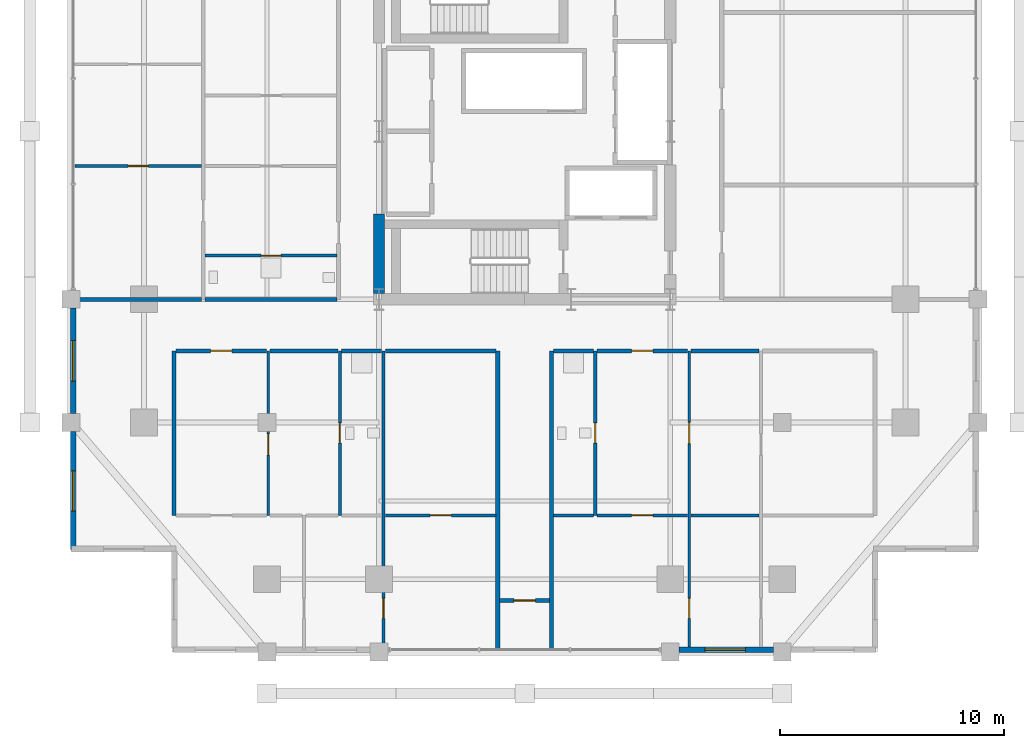
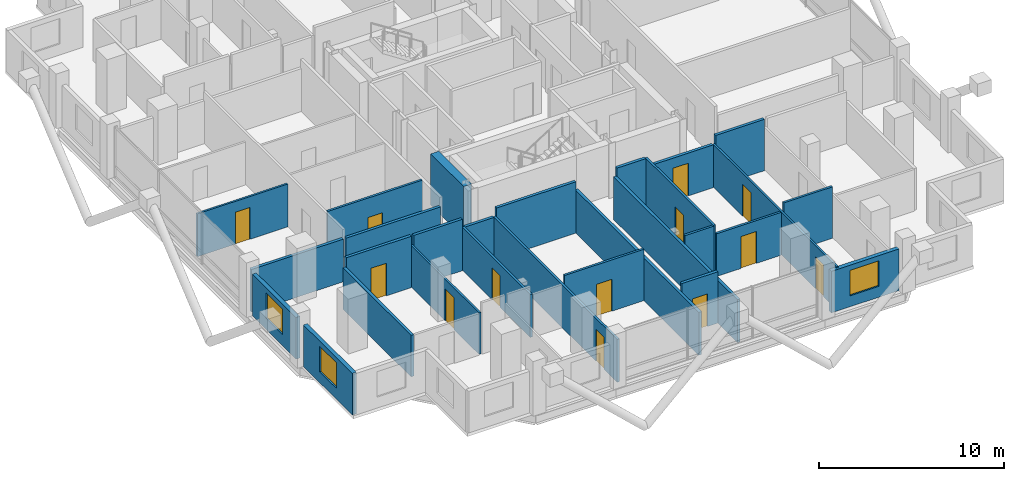
# One storey, part 17 of 23: 28 walls, 13 doors, 3 windows, 16 openings.
"""IFC4 building model written with IfcOpenShell, lengths in metres."""

from ifc_helpers import new_model, si_unit, direction, frame, frame_2d, origin, place, context, subcontext, project, spatial, rectangle, extrude, material, layer, layer_set, type_object, element, fill, save


model = new_model("IFC4")

# Units and contexts
model_context = context("Model", 3, precision=1e-05, world=origin(), true_north=direction((0.0, 1.0)))
body_context = subcontext(model_context, "Body", "Model", "MODEL_VIEW")
ifc_project = project(units=[si_unit("LENGTHUNIT", "METRE"), si_unit("AREAUNIT", "SQUARE_METRE"), si_unit("VOLUMEUNIT", "CUBIC_METRE"), si_unit("PLANEANGLEUNIT", "RADIAN"), si_unit("MASSUNIT", "GRAM", prefix="KILO")], contexts=[model_context])

# Site, building, storey
site_placement = place(None, origin())
site = spatial("IfcSite", under=ifc_project, at=site_placement, CompositionType="ELEMENT")
building_placement = place(site_placement, origin())
building = spatial("IfcBuilding", under=site, at=building_placement, Name="Barlavira Tower and Art Museum", CompositionType="ELEMENT")
storey_placement = place(building_placement, frame((0.0, 0.0, 140.39990234375)))
storey = spatial("IfcBuildingStorey", under=building, at=storey_placement, Name="L35", CompositionType="ELEMENT", Elevation=140.39990234375)

# Wall, opening, door
ifc_material_1 = material(Name="Gypsum acoustic stud partition", Category="gypsum")
ifc_layer_1 = layer(ifc_material_1, 0.1201171875, Name="Gypsum acoustic stud partition")
ifc_layer_set_1 = layer_set([ifc_layer_1], Name="Gypsum acoustic stud partition")
wall_type_1 = type_object("IfcWallType", Name="Apartment Internal Acoustic Partition 120", PredefinedType="PARTITIONING", material=ifc_layer_set_1)
wall_1_placement = place(storey_placement, frame((-11.449951171875, -17.14990234375, 0.0), z_axis=(0.0, 0.0, 1.0), x_axis=(0.0, 1.0, 0.0)))
wall_1 = element("IfcWall", 1, at=wall_1_placement, inside=storey, type_object=wall_type_1, Name="L35 Partition Wall 4", PredefinedType="PARTITIONING", context=body_context, shape_type="SweptSolid", body=[
    extrude(rectangle(XDim=7.349853515625, YDim=0.1201171875, at=frame_2d((3.6748046875, 0.0))), origin(), (0.0, 0.0, 1.0), 2.736083984375),
])
opening_1_placement = place(wall_1_placement, frame((2.686767578125, 0.0, 0.0)))
opening_1 = element("IfcOpeningElement", 2, at=opening_1_placement, cuts=wall_1, Name="Opening D-02", PredefinedType="OPENING", context=body_context, shape_type="SweptSolid", body=[
    extrude(rectangle(XDim=0.949951171875, YDim=2.10009765625, at=frame_2d((0.47509765625, 1.050048828125))), frame((0.0, 0.070068359375, 0.0), z_axis=(0.0, -1.0, 0.0), x_axis=(1.0, 0.0, 0.0)), (0.0, 0.0, 1.0), 0.14013671875),
])
ifc_material_2 = material(Name="Engineered coastal hardwood", Category="wood")
door_type_1 = type_object("IfcDoorType", Name="Living and Salon Glazed-Leaf Door 950x2100", OperationType="NOTDEFINED", PredefinedType="DOOR", material=ifc_material_2)
door_1_placement = place(opening_1_placement, origin())
door_1 = element("IfcDoor", 3, at=door_1_placement, inside=storey, type_object=door_type_1, Name="Apartment SW1 Kitchen Door", OperationType="SINGLE_SWING_LEFT", OverallHeight=2.10009765625, OverallWidth=0.949951171875, PredefinedType="DOOR", context=body_context, shape_type="SweptSolid", body=[
    extrude(rectangle(XDim=0.949951171875, YDim=2.10009765625, at=frame_2d((0.47509765625, 1.050048828125))), frame((0.0, 0.02490234375, 0.0), z_axis=(0.0, -1.0, 0.0), x_axis=(1.0, 0.0, 0.0)), (0.0, 0.0, 1.0), 0.050048828125),
])
fill(opening_1, door_1)

# Wall, openings, doors
wall_2_placement = place(storey_placement, frame((7.35009765625, -23.14990234375, 0.0), z_axis=(0.0, 0.0, 1.0), x_axis=(0.0, 1.0, 0.0)))
wall_2 = element("IfcWall", 4, at=wall_2_placement, inside=storey, type_object=wall_type_1, Name="L35 Partition Wall 22", PredefinedType="PARTITIONING", context=body_context, shape_type="SweptSolid", body=[
    extrude(rectangle(XDim=13.349853515625, YDim=0.1201171875, at=frame_2d((6.6748046875, 0.0))), origin(), (0.0, 0.0, 1.0), 2.816162109375),
])
opening_2_placement = place(wall_2_placement, frame((9.205078125, 0.0, 0.0)))
opening_2 = element("IfcOpeningElement", 5, at=opening_2_placement, cuts=wall_2, Name="Opening D-02", PredefinedType="OPENING", context=body_context, shape_type="SweptSolid", body=[
    extrude(rectangle(XDim=0.949951171875, YDim=2.10009765625, at=frame_2d((0.47509765625, 1.050048828125))), frame((0.0, 0.070068359375, 0.0), z_axis=(0.0, -1.0, 0.0), x_axis=(1.0, 0.0, 0.0)), (0.0, 0.0, 1.0), 0.14013671875),
])
opening_3_placement = place(wall_2_placement, frame((1.39892578125, 0.0, 0.0)))
opening_3 = element("IfcOpeningElement", 6, at=opening_3_placement, cuts=wall_2, Name="Opening D-01", PredefinedType="OPENING", context=body_context, shape_type="SweptSolid", body=[
    extrude(rectangle(XDim=0.89990234375, YDim=2.10009765625, at=frame_2d((0.449951171875, 1.050048828125))), frame((0.0, 0.070068359375, 0.0), z_axis=(0.0, -1.0, 0.0), x_axis=(1.0, 0.0, 0.0)), (0.0, 0.0, 1.0), 0.14013671875),
])
door_type_2 = type_object("IfcDoorType", Name="Internal Bedroom Timber Flush Door 900x2100", OperationType="NOTDEFINED", PredefinedType="DOOR", material=ifc_material_2)
door_2_placement = place(opening_3_placement, origin())
door_2 = element("IfcDoor", 7, at=door_2_placement, inside=storey, type_object=door_type_2, Name="Apartment SE1 Bedroom 1 Door", OperationType="SINGLE_SWING_RIGHT", OverallHeight=2.10009765625, OverallWidth=0.89990234375, PredefinedType="DOOR", context=body_context, shape_type="SweptSolid", body=[
    extrude(rectangle(XDim=0.89990234375, YDim=2.10009765625, at=frame_2d((0.449951171875, 1.050048828125))), frame((0.0, 0.02490234375, 0.0), z_axis=(0.0, -1.0, 0.0), x_axis=(1.0, 0.0, 0.0)), (0.0, 0.0, 1.0), 0.050048828125),
])
fill(opening_3, door_2)
door_3_placement = place(opening_2_placement, origin())
door_3 = element("IfcDoor", 8, at=door_3_placement, inside=storey, type_object=door_type_1, Name="Apartment SE1 Kitchen Door", OperationType="SINGLE_SWING_LEFT", OverallHeight=2.10009765625, OverallWidth=0.949951171875, PredefinedType="DOOR", context=body_context, shape_type="SweptSolid", body=[
    extrude(rectangle(XDim=0.949951171875, YDim=2.10009765625, at=frame_2d((0.47509765625, 1.050048828125))), frame((0.0, 0.02490234375, 0.0), z_axis=(0.0, -1.0, 0.0), x_axis=(1.0, 0.0, 0.0)), (0.0, 0.0, 1.0), 0.050048828125),
])
fill(opening_2, door_3)

# Wall, opening, door
wall_3_placement = place(storey_placement, frame((-20.070068359375, -1.550048828125, 0.0), z_axis=(0.0, 0.0, 1.0), x_axis=(1.0, 0.0, 0.0)))
wall_3 = element("IfcWall", 9, at=wall_3_placement, inside=storey, type_object=wall_type_1, Name="L35 Partition Wall 53", PredefinedType="PARTITIONING", context=body_context, shape_type="SweptSolid", body=[
    extrude(rectangle(XDim=5.64013671875, YDim=0.1201171875, at=frame_2d((2.820068359375, 0.0))), origin(), (0.0, 0.0, 1.0), 2.816162109375),
])
opening_4_placement = place(wall_3_placement, frame((2.3701171875, 0.0, 0.0)))
opening_4 = element("IfcOpeningElement", 10, at=opening_4_placement, cuts=wall_3, Name="Opening D-01", PredefinedType="OPENING", context=body_context, shape_type="SweptSolid", body=[
    extrude(rectangle(XDim=0.89990234375, YDim=2.10009765625, at=frame_2d((0.449951171875, 1.050048828125))), frame((0.0, 0.070068359375, 0.0), z_axis=(0.0, -1.0, 0.0), x_axis=(1.0, 0.0, 0.0)), (0.0, 0.0, 1.0), 0.14013671875),
])
door_4_placement = place(opening_4_placement, origin())
door_4 = element("IfcDoor", 11, at=door_4_placement, inside=storey, type_object=door_type_2, Name="Apartment W1 Bedroom 1 Door", OperationType="SINGLE_SWING_RIGHT", OverallHeight=2.10009765625, OverallWidth=0.89990234375, PredefinedType="DOOR", context=body_context, shape_type="SweptSolid", body=[
    extrude(rectangle(XDim=0.89990234375, YDim=2.10009765625, at=frame_2d((0.449951171875, 1.050048828125))), frame((0.0, 0.02490234375, 0.0), z_axis=(0.0, -1.0, 0.0), x_axis=(1.0, 0.0, 0.0)), (0.0, 0.0, 1.0), 0.050048828125),
])
fill(opening_4, door_4)

# Walls
ifc_material_3 = material(Name="Concrete C60", Category="concrete")
ifc_layer_2 = layer(ifc_material_3, 0.5, Name="Concrete C60")
ifc_layer_set_2 = layer_set([ifc_layer_2], Name="Concrete C60")
wall_type_2 = type_object("IfcWallType", Name="Core Structural Shear Wall 500 Concrete C60", PredefinedType="SHEAR", material=ifc_layer_set_2)
wall_4_placement = place(storey_placement, frame((-6.5, -7.25, 0.0), z_axis=(0.0, 0.0, 1.0), x_axis=(0.0, 1.0, 0.0)))
element("IfcWall", 12, at=wall_4_placement, inside=storey, type_object=wall_type_2, Name="L35 Core Shear Wall CS-W1", PredefinedType="SHEAR", context=body_context, shape_type="SweptSolid", body=[
    extrude(rectangle(XDim=3.550048828125, YDim=0.5, at=frame_2d((1.77490234375, 0.0))), origin(), (0.0, 0.0, 1.0), 3.380126953125),
])
ifc_layer_3 = layer(ifc_material_1, 0.179931640625, Name="Gypsum acoustic stud partition")
ifc_layer_set_3 = layer_set([ifc_layer_3], Name="Gypsum acoustic stud partition")
wall_type_3 = type_object("IfcWallType", Name="Inter-Tenancy Party Partition Wall 180", PredefinedType="PARTITIONING", material=ifc_layer_set_3)
wall_5_placement = place(storey_placement, frame((-15.64990234375, -17.14990234375, 0.0), z_axis=(0.0, 0.0, 1.0), x_axis=(0.0, 1.0, 0.0)))
element("IfcWall", 13, at=wall_5_placement, inside=storey, type_object=wall_type_3, Name="L35 Partition Wall 1", PredefinedType="PARTITIONING", context=body_context, shape_type="SweptSolid", body=[
    extrude(rectangle(XDim=7.349853515625, YDim=0.179931640625, at=frame_2d((3.6748046875, 0.0))), origin(), (0.0, 0.0, 1.0), 2.736083984375),
])
for number, where, z_axis, x_axis, name in (
    (14, (-1.199951171875, -23.14990234375, 0.0), (0.0, 0.0, 1.0), (0.0, 1.0, 0.0), "L35 Partition Wall 15"),
    (15, (1.199951171875, -23.14990234375, 0.0), (0.0, 0.0, 1.0), (0.0, 1.0, 0.0), "L35 Partition Wall 17"),
):
    element("IfcWall", number, at=place(storey_placement, frame(where, z_axis=z_axis, x_axis=x_axis)), inside=storey, type_object=wall_type_3, Name=name, PredefinedType="PARTITIONING", context=body_context, shape_type="SweptSolid", body=[
        extrude(rectangle(XDim=13.349853515625, YDim=0.179931640625, at=frame_2d((6.6748046875, 0.0))), origin(), (0.0, 0.0, 1.0), 2.816162109375),
    ])

# Wall, opening, door
wall_6_placement = place(storey_placement, frame((-1.1201171875, -20.949951171875, 0.0), z_axis=(0.0, 0.0, 1.0), x_axis=(1.0, 0.0, 0.0)))
wall_6 = element("IfcWall", 16, at=wall_6_placement, inside=storey, type_object=wall_type_3, Name="L35 Partition Wall 29", PredefinedType="PARTITIONING", context=body_context, shape_type="SweptSolid", body=[
    extrude(rectangle(XDim=2.240234375, YDim=0.179931640625, at=frame_2d((1.1201171875, 0.0))), origin(), (0.0, 0.0, 1.0), 3.380126953125),
])
opening_5_placement = place(wall_6_placement, frame((0.64501953125, 0.0, 0.0)))
opening_5 = element("IfcOpeningElement", 17, at=opening_5_placement, cuts=wall_6, Name="Opening FD-60", PredefinedType="OPENING", context=body_context, shape_type="SweptSolid", body=[
    extrude(rectangle(XDim=0.949951171875, YDim=2.14990234375, at=frame_2d((0.47509765625, 1.074951171875))), frame((0.0, 0.10009765625, 0.0), z_axis=(0.0, -1.0, 0.0), x_axis=(1.0, 0.0, 0.0)), (0.0, 0.0, 1.0), 0.199951171875),
])
ifc_material_4 = material(Name="Brushed stainless steel", Category="steel")
door_type_3 = type_object("IfcDoorType", Name="Apartment Entrance and Riser Fire Door 950x2150 FD60S", OperationType="NOTDEFINED", PredefinedType="DOOR", material=ifc_material_4)
door_5_placement = place(opening_5_placement, origin())
door_5 = element("IfcDoor", 18, at=door_5_placement, inside=storey, type_object=door_type_3, Name="L35 South Horizon Reading Alcove Door", OperationType="SINGLE_SWING_LEFT", OverallHeight=2.14990234375, OverallWidth=0.949951171875, PredefinedType="DOOR", context=body_context, shape_type="SweptSolid", body=[
    extrude(rectangle(XDim=0.949951171875, YDim=2.14990234375, at=frame_2d((0.47509765625, 1.074951171875))), frame((0.0, 0.02490234375, 0.0), z_axis=(0.0, -1.0, 0.0), x_axis=(1.0, 0.0, 0.0)), (0.0, 0.0, 1.0), 0.050048828125),
])
fill(opening_5, door_5)

wall_7_placement = place(storey_placement, frame((-15.570068359375, -9.800048828125, 0.0), z_axis=(0.0, 0.0, 1.0), x_axis=(1.0, 0.0, 0.0)))
wall_7 = element("IfcWall", 19, at=wall_7_placement, inside=storey, type_object=wall_type_3, Name="L35 Partition Wall 39", PredefinedType="PARTITIONING", context=body_context, shape_type="SweptSolid", body=[
    extrude(rectangle(XDim=4.0400390625, YDim=0.179931640625, at=frame_2d((2.02001953125, 0.0))), origin(), (0.0, 0.0, 1.0), 3.380126953125),
])
opening_6_placement = place(wall_7_placement, frame((1.544921875, 0.0, 0.0)))
opening_6 = element("IfcOpeningElement", 20, at=opening_6_placement, cuts=wall_7, Name="Opening FD-60", PredefinedType="OPENING", context=body_context, shape_type="SweptSolid", body=[
    extrude(rectangle(XDim=0.949951171875, YDim=2.14990234375, at=frame_2d((0.47509765625, 1.074951171875))), frame((0.0, 0.10009765625, 0.0), z_axis=(0.0, -1.0, 0.0), x_axis=(1.0, 0.0, 0.0)), (0.0, 0.0, 1.0), 0.199951171875),
])
door_6_placement = place(opening_6_placement, origin())
door_6 = element("IfcDoor", 21, at=door_6_placement, inside=storey, type_object=door_type_3, Name="Apartment Entrance Hall SW1 Door", OperationType="SINGLE_SWING_RIGHT", OverallHeight=2.14990234375, OverallWidth=0.949951171875, PredefinedType="DOOR", context=body_context, shape_type="SweptSolid", body=[
    extrude(rectangle(XDim=0.949951171875, YDim=2.14990234375, at=frame_2d((0.47509765625, 1.074951171875))), frame((0.0, 0.02490234375, 0.0), z_axis=(0.0, -1.0, 0.0), x_axis=(1.0, 0.0, 0.0)), (0.0, 0.0, 1.0), 0.050048828125),
])
fill(opening_6, door_6)

# Walls
wall_8_placement = place(storey_placement, frame((-11.3701171875, -9.800048828125, 0.0), z_axis=(0.0, 0.0, 1.0), x_axis=(1.0, 0.0, 0.0)))
element("IfcWall", 22, at=wall_8_placement, inside=storey, type_object=wall_type_3, Name="L35 Partition Wall 40", PredefinedType="PARTITIONING", context=body_context, shape_type="SweptSolid", body=[
    extrude(rectangle(XDim=3.0400390625, YDim=0.179931640625, at=frame_2d((1.52001953125, 0.0))), origin(), (0.0, 0.0, 1.0), 3.380126953125),
])
wall_9_placement = place(storey_placement, frame((-8.169921875, -9.800048828125, 0.0), z_axis=(0.0, 0.0, 1.0), x_axis=(1.0, 0.0, 0.0)))
element("IfcWall", 23, at=wall_9_placement, inside=storey, type_object=wall_type_3, Name="L35 Partition Wall 41", PredefinedType="PARTITIONING", context=body_context, shape_type="SweptSolid", body=[
    extrude(rectangle(XDim=1.7900390625, YDim=0.179931640625, at=frame_2d((0.89501953125, 0.0))), origin(), (0.0, 0.0, 1.0), 2.816162109375),
])
wall_10_placement = place(storey_placement, frame((-6.219970703125, -9.800048828125, 0.0), z_axis=(0.0, 0.0, 1.0), x_axis=(1.0, 0.0, 0.0)))
element("IfcWall", 24, at=wall_10_placement, inside=storey, type_object=wall_type_3, Name="L35 Partition Wall 42", PredefinedType="PARTITIONING", context=body_context, shape_type="SweptSolid", body=[
    extrude(rectangle(XDim=4.93994140625, YDim=0.179931640625, at=frame_2d((2.469970703125, 0.0))), origin(), (0.0, 0.0, 1.0), 3.380126953125),
])
wall_11_placement = place(storey_placement, frame((1.280029296875, -9.800048828125, 0.0), z_axis=(0.0, 0.0, 1.0), x_axis=(1.0, 0.0, 0.0)))
element("IfcWall", 25, at=wall_11_placement, inside=storey, type_object=wall_type_3, Name="L35 Partition Wall 43", PredefinedType="PARTITIONING", context=body_context, shape_type="SweptSolid", body=[
    extrude(rectangle(XDim=1.7900390625, YDim=0.179931640625, at=frame_2d((0.89501953125, 0.0))), origin(), (0.0, 0.0, 1.0), 3.380126953125),
])

# Wall, opening, door
wall_12_placement = place(storey_placement, frame((3.22998046875, -9.800048828125, 0.0), z_axis=(0.0, 0.0, 1.0), x_axis=(1.0, 0.0, 0.0)))
wall_12 = element("IfcWall", 26, at=wall_12_placement, inside=storey, type_object=wall_type_3, Name="L35 Partition Wall 44", PredefinedType="PARTITIONING", context=body_context, shape_type="SweptSolid", body=[
    extrude(rectangle(XDim=4.0400390625, YDim=0.179931640625, at=frame_2d((2.02001953125, 0.0))), origin(), (0.0, 0.0, 1.0), 2.816162109375),
])
opening_7_placement = place(wall_12_placement, frame((1.544921875, 0.0, 0.0)))
opening_7 = element("IfcOpeningElement", 27, at=opening_7_placement, cuts=wall_12, Name="Opening FD-60", PredefinedType="OPENING", context=body_context, shape_type="SweptSolid", body=[
    extrude(rectangle(XDim=0.949951171875, YDim=2.14990234375, at=frame_2d((0.47509765625, 1.074951171875))), frame((0.0, 0.10009765625, 0.0), z_axis=(0.0, -1.0, 0.0), x_axis=(1.0, 0.0, 0.0)), (0.0, 0.0, 1.0), 0.199951171875),
])
door_7_placement = place(opening_7_placement, origin())
door_7 = element("IfcDoor", 28, at=door_7_placement, inside=storey, type_object=door_type_3, Name="Apartment Entrance Hall SE1 Door", OperationType="SINGLE_SWING_RIGHT", OverallHeight=2.14990234375, OverallWidth=0.949951171875, PredefinedType="DOOR", context=body_context, shape_type="SweptSolid", body=[
    extrude(rectangle(XDim=0.949951171875, YDim=2.14990234375, at=frame_2d((0.47509765625, 1.074951171875))), frame((0.0, 0.02490234375, 0.0), z_axis=(0.0, -1.0, 0.0), x_axis=(1.0, 0.0, 0.0)), (0.0, 0.0, 1.0), 0.050048828125),
])
fill(opening_7, door_7)

# Walls
wall_13_placement = place(storey_placement, frame((7.429931640625, -9.800048828125, 0.0), z_axis=(0.0, 0.0, 1.0), x_axis=(1.0, 0.0, 0.0)))
element("IfcWall", 29, at=wall_13_placement, inside=storey, type_object=wall_type_3, Name="L35 Partition Wall 45", PredefinedType="PARTITIONING", context=body_context, shape_type="SweptSolid", body=[
    extrude(rectangle(XDim=3.0400390625, YDim=0.179931640625, at=frame_2d((1.52001953125, 0.0))), origin(), (0.0, 0.0, 1.0), 3.380126953125),
])
wall_14_placement = place(storey_placement, frame((-20.14990234375, -7.5, 0.0), z_axis=(0.0, 0.0, 1.0), x_axis=(1.0, 0.0, 0.0)))
element("IfcWall", 30, at=wall_14_placement, inside=storey, type_object=wall_type_3, Name="L35 Partition Wall 47", PredefinedType="PARTITIONING", context=body_context, shape_type="SweptSolid", body=[
    extrude(rectangle(XDim=5.719970703125, YDim=0.179931640625, at=frame_2d((2.85986328125, 0.0))), origin(), (0.0, 0.0, 1.0), 2.816162109375),
])
wall_15_placement = place(storey_placement, frame((-14.27001953125, -7.5, 0.0), z_axis=(0.0, 0.0, 1.0), x_axis=(1.0, 0.0, 0.0)))
element("IfcWall", 31, at=wall_15_placement, inside=storey, type_object=wall_type_3, Name="L35 Partition Wall 48", PredefinedType="PARTITIONING", context=body_context, shape_type="SweptSolid", body=[
    extrude(rectangle(XDim=5.89013671875, YDim=0.179931640625, at=frame_2d((2.945068359375, 0.0))), origin(), (0.0, 0.0, 1.0), 2.816162109375),
])

# Wall, opening, door
ifc_layer_4 = layer(ifc_material_1, 0.139892578125, Name="Gypsum acoustic stud partition")
ifc_layer_set_4 = layer_set([ifc_layer_4], Name="Gypsum acoustic stud partition")
wall_type_4 = type_object("IfcWallType", Name="Moisture-Resistant Bathroom Partition 140", PredefinedType="PARTITIONING", material=ifc_layer_set_4)
wall_16_placement = place(storey_placement, frame((-8.25, -17.14990234375, 0.0), z_axis=(0.0, 0.0, 1.0), x_axis=(0.0, 1.0, 0.0)))
wall_16 = element("IfcWall", 32, at=wall_16_placement, inside=storey, type_object=wall_type_4, Name="L35 Partition Wall 9", PredefinedType="PARTITIONING", context=body_context, shape_type="SweptSolid", body=[
    extrude(rectangle(XDim=7.349853515625, YDim=0.139892578125, at=frame_2d((3.6748046875, 0.0))), origin(), (0.0, 0.0, 1.0), 2.816162109375),
])
opening_8_placement = place(wall_16_placement, frame((3.22998046875, 0.0, 0.0)))
opening_8 = element("IfcOpeningElement", 33, at=opening_8_placement, cuts=wall_16, Name="Opening D-WC", PredefinedType="OPENING", context=body_context, shape_type="SweptSolid", body=[
    extrude(rectangle(XDim=0.89990234375, YDim=2.10009765625, at=frame_2d((0.449951171875, 1.050048828125))), frame((0.0, 0.080078125, 0.0), z_axis=(0.0, -1.0, 0.0), x_axis=(1.0, 0.0, 0.0)), (0.0, 0.0, 1.0), 0.159912109375),
])
door_type_4 = type_object("IfcDoorType", Name="Accessible Bathroom Flush Door 900x2100", OperationType="NOTDEFINED", PredefinedType="DOOR", material=ifc_material_2)
door_8_placement = place(opening_8_placement, origin())
door_8 = element("IfcDoor", 34, at=door_8_placement, inside=storey, type_object=door_type_4, Name="Apartment SW1 Hall Bathroom Door", OperationType="SINGLE_SWING_RIGHT", OverallHeight=2.10009765625, OverallWidth=0.89990234375, PredefinedType="DOOR", context=body_context, shape_type="SweptSolid", body=[
    extrude(rectangle(XDim=0.89990234375, YDim=2.10009765625, at=frame_2d((0.449951171875, 1.050048828125))), frame((0.0, 0.02490234375, 0.0), z_axis=(0.0, -1.0, 0.0), x_axis=(1.0, 0.0, 0.0)), (0.0, 0.0, 1.0), 0.050048828125),
])
fill(opening_8, door_8)

wall_17_placement = place(storey_placement, frame((-6.300048828125, -23.14990234375, 0.0), z_axis=(0.0, 0.0, 1.0), x_axis=(0.0, 1.0, 0.0)))
wall_17 = element("IfcWall", 35, at=wall_17_placement, inside=storey, type_object=wall_type_4, Name="L35 Partition Wall 11", PredefinedType="PARTITIONING", context=body_context, shape_type="SweptSolid", body=[
    extrude(rectangle(XDim=13.349853515625, YDim=0.139892578125, at=frame_2d((6.6748046875, 0.0))), origin(), (0.0, 0.0, 1.0), 2.816162109375),
])
opening_9_placement = place(wall_17_placement, frame((1.39892578125, 0.0, 0.0)))
opening_9 = element("IfcOpeningElement", 36, at=opening_9_placement, cuts=wall_17, Name="Opening D-01", PredefinedType="OPENING", context=body_context, shape_type="SweptSolid", body=[
    extrude(rectangle(XDim=0.89990234375, YDim=2.10009765625, at=frame_2d((0.449951171875, 1.050048828125))), frame((0.0, 0.080078125, 0.0), z_axis=(0.0, -1.0, 0.0), x_axis=(1.0, 0.0, 0.0)), (0.0, 0.0, 1.0), 0.159912109375),
])
door_9_placement = place(opening_9_placement, origin())
door_9 = element("IfcDoor", 37, at=door_9_placement, inside=storey, type_object=door_type_2, Name="Apartment SW1 Bedroom 2 Door", OperationType="SINGLE_SWING_RIGHT", OverallHeight=2.10009765625, OverallWidth=0.89990234375, PredefinedType="DOOR", context=body_context, shape_type="SweptSolid", body=[
    extrude(rectangle(XDim=0.89990234375, YDim=2.10009765625, at=frame_2d((0.449951171875, 1.050048828125))), frame((0.0, 0.02490234375, 0.0), z_axis=(0.0, -1.0, 0.0), x_axis=(1.0, 0.0, 0.0)), (0.0, 0.0, 1.0), 0.050048828125),
])
fill(opening_9, door_9)

wall_18_placement = place(storey_placement, frame((3.14990234375, -17.14990234375, 0.0), z_axis=(0.0, 0.0, 1.0), x_axis=(0.0, 1.0, 0.0)))
wall_18 = element("IfcWall", 38, at=wall_18_placement, inside=storey, type_object=wall_type_4, Name="L35 Partition Wall 19", PredefinedType="PARTITIONING", context=body_context, shape_type="SweptSolid", body=[
    extrude(rectangle(XDim=7.349853515625, YDim=0.139892578125, at=frame_2d((3.6748046875, 0.0))), origin(), (0.0, 0.0, 1.0), 3.380126953125),
])
opening_10_placement = place(wall_18_placement, frame((3.22998046875, 0.0, 0.0)))
opening_10 = element("IfcOpeningElement", 39, at=opening_10_placement, cuts=wall_18, Name="Opening D-WC", PredefinedType="OPENING", context=body_context, shape_type="SweptSolid", body=[
    extrude(rectangle(XDim=0.89990234375, YDim=2.10009765625, at=frame_2d((0.449951171875, 1.050048828125))), frame((0.0, 0.080078125, 0.0), z_axis=(0.0, -1.0, 0.0), x_axis=(1.0, 0.0, 0.0)), (0.0, 0.0, 1.0), 0.159912109375),
])
door_10_placement = place(opening_10_placement, origin())
door_10 = element("IfcDoor", 40, at=door_10_placement, inside=storey, type_object=door_type_4, Name="Apartment SE1 Hall Bathroom Door", OperationType="SINGLE_SWING_LEFT", OverallHeight=2.10009765625, OverallWidth=0.89990234375, PredefinedType="DOOR", context=body_context, shape_type="SweptSolid", body=[
    extrude(rectangle(XDim=0.89990234375, YDim=2.10009765625, at=frame_2d((0.449951171875, 1.050048828125))), frame((0.0, 0.02490234375, 0.0), z_axis=(0.0, -1.0, 0.0), x_axis=(1.0, 0.0, 0.0)), (0.0, 0.0, 1.0), 0.050048828125),
])
fill(opening_10, door_10)

wall_19_placement = place(storey_placement, frame((-6.219970703125, -17.14990234375, 0.0), z_axis=(0.0, 0.0, 1.0), x_axis=(1.0, 0.0, 0.0)))
wall_19 = element("IfcWall", 41, at=wall_19_placement, inside=storey, type_object=wall_type_4, Name="L35 Partition Wall 34", PredefinedType="PARTITIONING", context=body_context, shape_type="SweptSolid", body=[
    extrude(rectangle(XDim=4.93994140625, YDim=0.139892578125, at=frame_2d((2.469970703125, 0.0))), origin(), (0.0, 0.0, 1.0), 3.380126953125),
])
opening_11_placement = place(wall_19_placement, frame((1.9951171875, 0.0, 0.0)))
opening_11 = element("IfcOpeningElement", 42, at=opening_11_placement, cuts=wall_19, Name="Opening D-02", PredefinedType="OPENING", context=body_context, shape_type="SweptSolid", body=[
    extrude(rectangle(XDim=0.949951171875, YDim=2.10009765625, at=frame_2d((0.47509765625, 1.050048828125))), frame((0.0, 0.080078125, 0.0), z_axis=(0.0, -1.0, 0.0), x_axis=(1.0, 0.0, 0.0)), (0.0, 0.0, 1.0), 0.159912109375),
])
door_11_placement = place(opening_11_placement, origin())
door_11 = element("IfcDoor", 43, at=door_11_placement, inside=storey, type_object=door_type_1, Name="Apartment SW1 Dining Salon Door", OperationType="SINGLE_SWING_LEFT", OverallHeight=2.10009765625, OverallWidth=0.949951171875, PredefinedType="DOOR", context=body_context, shape_type="SweptSolid", body=[
    extrude(rectangle(XDim=0.949951171875, YDim=2.10009765625, at=frame_2d((0.47509765625, 1.050048828125))), frame((0.0, 0.02490234375, 0.0), z_axis=(0.0, -1.0, 0.0), x_axis=(1.0, 0.0, 0.0)), (0.0, 0.0, 1.0), 0.050048828125),
])
fill(opening_11, door_11)

# Wall
wall_20_placement = place(storey_placement, frame((1.280029296875, -17.14990234375, 0.0), z_axis=(0.0, 0.0, 1.0), x_axis=(1.0, 0.0, 0.0)))
element("IfcWall", 44, at=wall_20_placement, inside=storey, type_object=wall_type_4, Name="L35 Partition Wall 35", PredefinedType="PARTITIONING", context=body_context, shape_type="SweptSolid", body=[
    extrude(rectangle(XDim=1.7900390625, YDim=0.139892578125, at=frame_2d((0.89501953125, 0.0))), origin(), (0.0, 0.0, 1.0), 3.380126953125),
])

# Wall, opening, door
wall_21_placement = place(storey_placement, frame((3.22998046875, -17.14990234375, 0.0), z_axis=(0.0, 0.0, 1.0), x_axis=(1.0, 0.0, 0.0)))
wall_21 = element("IfcWall", 45, at=wall_21_placement, inside=storey, type_object=wall_type_4, Name="L35 Partition Wall 36", PredefinedType="PARTITIONING", context=body_context, shape_type="SweptSolid", body=[
    extrude(rectangle(XDim=4.0400390625, YDim=0.139892578125, at=frame_2d((2.02001953125, 0.0))), origin(), (0.0, 0.0, 1.0), 2.816162109375),
])
opening_12_placement = place(wall_21_placement, frame((1.544921875, 0.0, 0.0)))
opening_12 = element("IfcOpeningElement", 46, at=opening_12_placement, cuts=wall_21, Name="Opening D-02", PredefinedType="OPENING", context=body_context, shape_type="SweptSolid", body=[
    extrude(rectangle(XDim=0.949951171875, YDim=2.10009765625, at=frame_2d((0.47509765625, 1.050048828125))), frame((0.0, 0.080078125, 0.0), z_axis=(0.0, -1.0, 0.0), x_axis=(1.0, 0.0, 0.0)), (0.0, 0.0, 1.0), 0.159912109375),
])
door_12_placement = place(opening_12_placement, origin())
door_12 = element("IfcDoor", 47, at=door_12_placement, inside=storey, type_object=door_type_1, Name="Apartment SE1 Living Lounge Door", OperationType="SINGLE_SWING_LEFT", OverallHeight=2.10009765625, OverallWidth=0.949951171875, PredefinedType="DOOR", context=body_context, shape_type="SweptSolid", body=[
    extrude(rectangle(XDim=0.949951171875, YDim=2.10009765625, at=frame_2d((0.47509765625, 1.050048828125))), frame((0.0, 0.02490234375, 0.0), z_axis=(0.0, -1.0, 0.0), x_axis=(1.0, 0.0, 0.0)), (0.0, 0.0, 1.0), 0.050048828125),
])
fill(opening_12, door_12)

# Wall
wall_22_placement = place(storey_placement, frame((7.429931640625, -17.14990234375, 0.0), z_axis=(0.0, 0.0, 1.0), x_axis=(1.0, 0.0, 0.0)))
element("IfcWall", 48, at=wall_22_placement, inside=storey, type_object=wall_type_4, Name="L35 Partition Wall 37", PredefinedType="PARTITIONING", context=body_context, shape_type="SweptSolid", body=[
    extrude(rectangle(XDim=3.0400390625, YDim=0.139892578125, at=frame_2d((1.52001953125, 0.0))), origin(), (0.0, 0.0, 1.0), 3.380126953125),
])

# Wall, opening, door
wall_23_placement = place(storey_placement, frame((-14.27001953125, -5.550048828125, 0.0), z_axis=(0.0, 0.0, 1.0), x_axis=(1.0, 0.0, 0.0)))
wall_23 = element("IfcWall", 49, at=wall_23_placement, inside=storey, type_object=wall_type_4, Name="L35 Partition Wall 50", PredefinedType="PARTITIONING", context=body_context, shape_type="SweptSolid", body=[
    extrude(rectangle(XDim=5.89013671875, YDim=0.139892578125, at=frame_2d((2.945068359375, 0.0))), origin(), (0.0, 0.0, 1.0), 3.380126953125),
])
opening_13_placement = place(wall_23_placement, frame((2.5, 0.0, 0.0)))
opening_13 = element("IfcOpeningElement", 50, at=opening_13_placement, cuts=wall_23, Name="Opening D-WC", PredefinedType="OPENING", context=body_context, shape_type="SweptSolid", body=[
    extrude(rectangle(XDim=0.89990234375, YDim=2.10009765625, at=frame_2d((0.449951171875, 1.050048828125))), frame((0.0, 0.080078125, 0.0), z_axis=(0.0, -1.0, 0.0), x_axis=(1.0, 0.0, 0.0)), (0.0, 0.0, 1.0), 0.159912109375),
])
door_13_placement = place(opening_13_placement, origin())
door_13 = element("IfcDoor", 51, at=door_13_placement, inside=storey, type_object=door_type_4, Name="Apartment W1 Hall Bathroom Door", OperationType="SINGLE_SWING_LEFT", OverallHeight=2.10009765625, OverallWidth=0.89990234375, PredefinedType="DOOR", context=body_context, shape_type="SweptSolid", body=[
    extrude(rectangle(XDim=0.89990234375, YDim=2.10009765625, at=frame_2d((0.449951171875, 1.050048828125))), frame((0.0, 0.02490234375, 0.0), z_axis=(0.0, -1.0, 0.0), x_axis=(1.0, 0.0, 0.0)), (0.0, 0.0, 1.0), 0.050048828125),
])
fill(opening_13, door_13)

# Wall, opening, window
ifc_material_5 = material(Name="Precast concrete C40", Category="concrete")
ifc_layer_5 = layer(ifc_material_5, 0.25, Name="Precast concrete C40")
ifc_layer_set_5 = layer_set([ifc_layer_5], Name="Precast concrete C40")
wall_type_5 = type_object("IfcWallType", Name="Notched Corner Spandrel Wall 250 Precast Concrete C40", PredefinedType="SOLIDWALL", material=ifc_layer_set_5)
wall_24_placement = place(storey_placement, frame((6.89501953125, -23.14990234375, 0.0), z_axis=(0.0, 0.0, 1.0), x_axis=(1.0, 0.0, 0.0)))
wall_24 = element("IfcWall", 52, at=wall_24_placement, inside=storey, type_object=wall_type_5, Name="L35 Coastal Facade Pier Wall CW2-L35-S-4", PredefinedType="SOLIDWALL", context=body_context, shape_type="SweptSolid", body=[
    extrude(rectangle(XDim=4.2099609375, YDim=0.25, at=frame_2d((2.10498046875, 0.0))), origin(), (0.0, 0.0, 1.0), 2.736083984375),
])
opening_14_placement = place(wall_24_placement, frame((1.155029296875, 0.0, 0.719970703125)))
opening_14 = element("IfcOpeningElement", 53, at=opening_14_placement, cuts=wall_24, Name="Opening WN-01", PredefinedType="OPENING", context=body_context, shape_type="SweptSolid", body=[
    extrude(rectangle(XDim=1.800048828125, YDim=1.679931640625, at=frame_2d((0.89990234375, 0.83984375))), frame((0.0, 0.135009765625, 0.0), z_axis=(0.0, -1.0, 0.0), x_axis=(1.0, 0.0, 0.0)), (0.0, 0.0, 1.0), 0.27001953125),
])
ifc_material_6 = material(Name="Low-iron coastal laminated glass", Category="glass")
window_type = type_object("IfcWindowType", Name="Recessed Notch Corner Punch Window 1800x1680", PartitioningType="SINGLE_PANEL", PredefinedType="WINDOW", material=ifc_material_6)
window_1_placement = place(opening_14_placement, origin())
window_1 = element("IfcWindow", 54, at=window_1_placement, inside=storey, type_object=window_type, Name="L35 Punched Facade Window EWP-CW2-L35-S-4-1", OverallHeight=1.679931640625, OverallWidth=1.800048828125, PartitioningType="SINGLE_PANEL", PredefinedType="WINDOW", context=body_context, shape_type="SweptSolid", body=[
    extrude(rectangle(XDim=1.800048828125, YDim=1.679931640625, at=frame_2d((0.89990234375, 0.83984375))), frame((0.0, 0.030029296875, 0.0), z_axis=(0.0, -1.0, 0.0), x_axis=(1.0, 0.0, 0.0)), (0.0, 0.0, 1.0), 0.06005859375),
])
fill(opening_14, window_1)

wall_25_placement = place(storey_placement, frame((-20.14990234375, -7.89501953125, 0.0), z_axis=(0.0, 0.0, 1.0), x_axis=(0.0, -1.0, 0.0)))
wall_25 = element("IfcWall", 55, at=wall_25_placement, inside=storey, type_object=wall_type_5, Name="L35 Coastal Facade Pier Wall CW2-L35-W-4", PredefinedType="SOLIDWALL", context=body_context, shape_type="SweptSolid", body=[
    extrude(rectangle(XDim=4.7099609375, YDim=0.25, at=frame_2d((2.35498046875, 0.0))), origin(), (0.0, 0.0, 1.0), 2.736083984375),
])
opening_15_placement = place(wall_25_placement, frame((1.455078125, 0.0, 0.719970703125)))
opening_15 = element("IfcOpeningElement", 56, at=opening_15_placement, cuts=wall_25, Name="Opening WN-01", PredefinedType="OPENING", context=body_context, shape_type="SweptSolid", body=[
    extrude(rectangle(XDim=1.800048828125, YDim=1.679931640625, at=frame_2d((0.89990234375, 0.83984375))), frame((0.0, 0.135009765625, 0.0), z_axis=(0.0, -1.0, 0.0), x_axis=(1.0, 0.0, 0.0)), (0.0, 0.0, 1.0), 0.27001953125),
])
window_2_placement = place(opening_15_placement, origin())
window_2 = element("IfcWindow", 57, at=window_2_placement, inside=storey, type_object=window_type, Name="L35 Punched Facade Window EWP-CW2-L35-W-4-1", OverallHeight=1.679931640625, OverallWidth=1.800048828125, PartitioningType="SINGLE_PANEL", PredefinedType="WINDOW", context=body_context, shape_type="SweptSolid", body=[
    extrude(rectangle(XDim=1.800048828125, YDim=1.679931640625, at=frame_2d((0.89990234375, 0.83984375))), frame((0.0, 0.030029296875, 0.0), z_axis=(0.0, -1.0, 0.0), x_axis=(1.0, 0.0, 0.0)), (0.0, 0.0, 1.0), 0.06005859375),
])
fill(opening_15, window_2)

wall_26_placement = place(storey_placement, frame((-20.14990234375, -13.39501953125, 0.0), z_axis=(0.0, 0.0, 1.0), x_axis=(0.0, -1.0, 0.0)))
wall_26 = element("IfcWall", 58, at=wall_26_placement, inside=storey, type_object=wall_type_5, Name="L35 Coastal Facade Pier Wall CW2-L35-W-5", PredefinedType="SOLIDWALL", context=body_context, shape_type="SweptSolid", body=[
    extrude(rectangle(XDim=5.280029296875, YDim=0.25, at=frame_2d((2.64013671875, 0.0))), origin(), (0.0, 0.0, 1.0), 2.736083984375),
])
opening_16_placement = place(wall_26_placement, frame((1.762939453125, 0.0, 0.719970703125)))
opening_16 = element("IfcOpeningElement", 59, at=opening_16_placement, cuts=wall_26, Name="Opening WN-01", PredefinedType="OPENING", context=body_context, shape_type="SweptSolid", body=[
    extrude(rectangle(XDim=1.800048828125, YDim=1.679931640625, at=frame_2d((0.89990234375, 0.83984375))), frame((0.0, 0.135009765625, 0.0), z_axis=(0.0, -1.0, 0.0), x_axis=(1.0, 0.0, 0.0)), (0.0, 0.0, 1.0), 0.27001953125),
])
window_3_placement = place(opening_16_placement, origin())
window_3 = element("IfcWindow", 60, at=window_3_placement, inside=storey, type_object=window_type, Name="L35 Punched Facade Window EWP-CW2-L35-W-5-1", OverallHeight=1.679931640625, OverallWidth=1.800048828125, PartitioningType="SINGLE_PANEL", PredefinedType="WINDOW", context=body_context, shape_type="SweptSolid", body=[
    extrude(rectangle(XDim=1.800048828125, YDim=1.679931640625, at=frame_2d((0.89990234375, 0.83984375))), frame((0.0, 0.030029296875, 0.0), z_axis=(0.0, -1.0, 0.0), x_axis=(1.0, 0.0, 0.0)), (0.0, 0.0, 1.0), 0.06005859375),
])
fill(opening_16, window_3)

save(model, "model.ifc")
